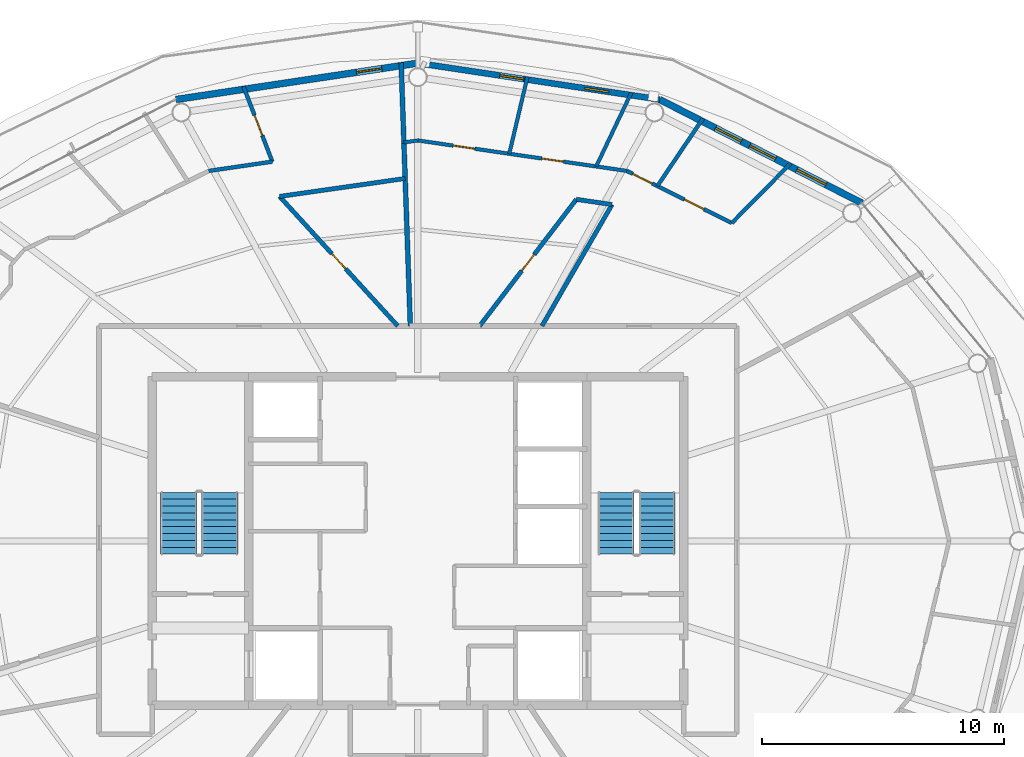
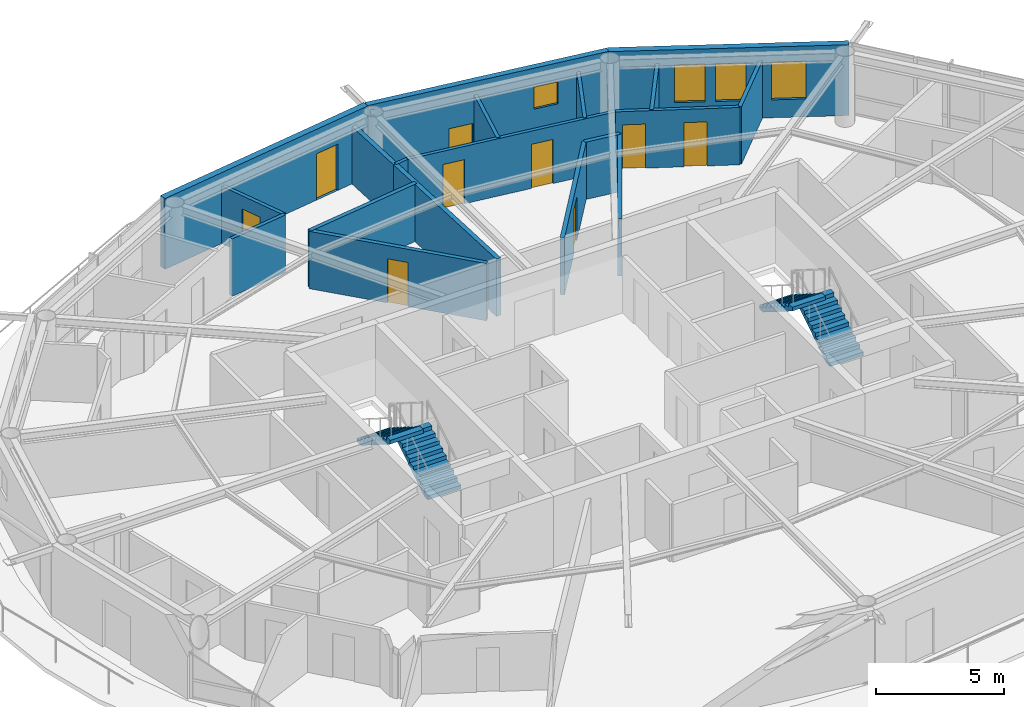
# One storey, part 19 of 22: 19 walls, 8 doors, 5 windows, 4 stair flights, 13 openings, 2 elements without a shape of their own.
"""IFC4 building model written with IfcOpenShell, lengths in metres."""

from ifc_helpers import new_model, si_unit, direction, frame, frame_2d, origin, place, context, subcontext, project, spatial, polyline, rectangle, outline, extrude, material, layer, layer_set, type_object, element, fill, aggregate, save


model = new_model("IFC4")

# Units and contexts
model_context = context("Model", 3, precision=1e-05, world=origin(), true_north=direction((0.0, 1.0)))
body_context = subcontext(model_context, "Body", "Model", "MODEL_VIEW")
ifc_project = project(units=[si_unit("LENGTHUNIT", "METRE"), si_unit("AREAUNIT", "SQUARE_METRE"), si_unit("VOLUMEUNIT", "CUBIC_METRE"), si_unit("PLANEANGLEUNIT", "RADIAN"), si_unit("MASSUNIT", "GRAM", prefix="KILO")], contexts=[model_context])

# Site, building, storey
site_placement = place(None, origin())
site = spatial("IfcSite", under=ifc_project, at=site_placement, CompositionType="ELEMENT")
building_placement = place(site_placement, origin())
building = spatial("IfcBuilding", under=site, at=building_placement, Name="Sarneth Arch Tower", CompositionType="ELEMENT")
storey_placement = place(building_placement, frame((0.0, 0.0, 287.39990234375)))
storey = spatial("IfcBuildingStorey", under=building, at=storey_placement, Name="L74", CompositionType="ELEMENT", Elevation=287.39990234375)

# Wall, openings, windows
ifc_material_1 = material(Name="Extruded terracotta rainscreen on Concrete C40/50 backing", Category="masonry")
ifc_layer_1 = layer(ifc_material_1, 0.25)
ifc_layer_set_1 = layer_set([ifc_layer_1], Name="Extruded terracotta rainscreen on Concrete C40/50 backing")
wall_type_1 = type_object("IfcWallType", Name="WALL-EXT-SPAND-250", PredefinedType="SOLIDWALL", material=ifc_layer_set_1)
wall_1_placement = place(storey_placement, frame((58.0126953125, 60.2744140625, 0.0), z_axis=(0.0, 0.0, 1.0), x_axis=(-0.988882522213, 0.148698881169, 0.0)))
wall_1 = element("IfcWall", 1, at=wall_1_placement, inside=storey, type_object=wall_type_1, Name="L74 Terracotta perimeter wall 04", PredefinedType="SOLIDWALL", context=body_context, shape_type="SweptSolid", body=[
    extrude(rectangle(XDim=10.125244140625, YDim=0.25, at=frame_2d((5.0625, 0.0))), origin(), (0.0, 0.0, 1.0), 3.3701171875),
])
opening_1_placement = place(wall_1_placement, frame((2.1337890625, 0.0, 1.419921875)))
opening_1 = element("IfcOpeningElement", 2, at=opening_1_placement, cuts=wall_1, Name="Opening W-14", PredefinedType="OPENING", context=body_context, shape_type="SweptSolid", body=[
    extrude(rectangle(XDim=1.0, YDim=1.050048828125, at=frame_2d((0.5, 0.52490234375))), frame((0.0, 0.135009765625, 0.0), z_axis=(0.0, -1.0, 0.0), x_axis=(1.0, 0.0, 0.0)), (0.0, 0.0, 1.0), 0.27001953125),
])
opening_2_placement = place(wall_1_placement, frame((5.693603515625, 0.0, 0.35009765625)))
opening_2 = element("IfcOpeningElement", 3, at=opening_2_placement, cuts=wall_1, Name="Opening W-14", PredefinedType="OPENING", context=body_context, shape_type="SweptSolid", body=[
    extrude(rectangle(XDim=1.0, YDim=1.050048828125, at=frame_2d((0.5, 0.52490234375))), frame((0.0, 0.135009765625, 0.0), z_axis=(0.0, -1.0, 0.0), x_axis=(1.0, 0.0, 0.0)), (0.0, 0.0, 1.0), 0.27001953125),
])
ifc_material_2 = material(Name="Thermally broken Aluminium 6063-T6 and low-e laminated IGU", Category="aluminium")
window_type_1 = type_object("IfcWindowType", Name="WIN-TWR-1000x1050", PartitioningType="SINGLE_PANEL", PredefinedType="WINDOW", material=ifc_material_2)
window_1_placement = place(opening_1_placement, origin())
window_1 = element("IfcWindow", 4, at=window_1_placement, inside=storey, type_object=window_type_1, Name="L74 Dwelling bedroom window 01", OverallHeight=1.050048828125, OverallWidth=1.0, PartitioningType="SINGLE_PANEL", PredefinedType="WINDOW", context=body_context, shape_type="SweptSolid", body=[
    extrude(rectangle(XDim=1.0, YDim=1.050048828125, at=frame_2d((0.5, 0.52490234375))), frame((0.0, 0.030029296875, 0.0), z_axis=(0.0, -1.0, 0.0), x_axis=(1.0, 0.0, 0.0)), (0.0, 0.0, 1.0), 0.06005859375),
])
fill(opening_1, window_1)
window_2_placement = place(opening_2_placement, origin())
window_2 = element("IfcWindow", 5, at=window_2_placement, inside=storey, type_object=window_type_1, Name="L74 Dwelling bedroom window 02", OverallHeight=1.050048828125, OverallWidth=1.0, PartitioningType="SINGLE_PANEL", PredefinedType="WINDOW", context=body_context, shape_type="SweptSolid", body=[
    extrude(rectangle(XDim=1.0, YDim=1.050048828125, at=frame_2d((0.5, 0.52490234375))), frame((0.0, 0.030029296875, 0.0), z_axis=(0.0, -1.0, 0.0), x_axis=(1.0, 0.0, 0.0)), (0.0, 0.0, 1.0), 0.06005859375),
])
fill(opening_2, window_2)

ifc_material_3 = material(Name="Extruded terracotta rainscreen on Concrete C40/50 backing", Category="masonry")
ifc_layer_2 = layer(ifc_material_3, 0.280029296875)
ifc_layer_set_2 = layer_set([ifc_layer_2], Name="Extruded terracotta rainscreen on Concrete C40/50 backing")
wall_type_2 = type_object("IfcWallType", Name="WALL-EXT-TERRA-280", PredefinedType="SOLIDWALL", material=ifc_layer_set_2)
wall_2_placement = place(storey_placement, frame((66.382568359375, 55.986572265625, 0.0), z_axis=(0.0, 0.0, 1.0), x_axis=(-0.890007394051, 0.455946091699, 0.0)))
wall_2 = element("IfcWall", 6, at=wall_2_placement, inside=storey, type_object=wall_type_2, Name="L74 Terracotta perimeter wall 03", PredefinedType="SOLIDWALL", context=body_context, shape_type="SweptSolid", body=[
    extrude(rectangle(XDim=9.404296875, YDim=0.280029296875, at=frame_2d((4.7021484375, 0.0))), origin(), (0.0, 0.0, 1.0), 3.3701171875),
])
opening_3_placement = place(wall_2_placement, frame((1.6748046875, 0.0, 0.85009765625)))
opening_3 = element("IfcOpeningElement", 7, at=opening_3_placement, cuts=wall_2, Name="Opening W-08", PredefinedType="OPENING", context=body_context, shape_type="SweptSolid", body=[
    extrude(rectangle(XDim=1.35009765625, YDim=1.800048828125, at=frame_2d((0.675048828125, 0.89990234375))), frame((0.0, 0.14990234375, 0.0), z_axis=(0.0, -1.0, 0.0), x_axis=(1.0, 0.0, 0.0)), (0.0, 0.0, 1.0), 0.300048828125),
])
opening_4_placement = place(wall_2_placement, frame((4.016845703125, 0.0, 0.85009765625)))
opening_4 = element("IfcOpeningElement", 8, at=opening_4_placement, cuts=wall_2, Name="Opening W-09", PredefinedType="OPENING", context=body_context, shape_type="SweptSolid", body=[
    extrude(rectangle(XDim=1.199951171875, YDim=1.800048828125, at=frame_2d((0.60009765625, 0.89990234375))), frame((0.0, 0.14990234375, 0.0), z_axis=(0.0, -1.0, 0.0), x_axis=(1.0, 0.0, 0.0)), (0.0, 0.0, 1.0), 0.300048828125),
])
opening_5_placement = place(wall_2_placement, frame((5.609375, 0.0, 0.85009765625)))
opening_5 = element("IfcOpeningElement", 9, at=opening_5_placement, cuts=wall_2, Name="Opening W-09", PredefinedType="OPENING", context=body_context, shape_type="SweptSolid", body=[
    extrude(rectangle(XDim=1.199951171875, YDim=1.800048828125, at=frame_2d((0.60009765625, 0.89990234375))), frame((0.0, 0.14990234375, 0.0), z_axis=(0.0, -1.0, 0.0), x_axis=(1.0, 0.0, 0.0)), (0.0, 0.0, 1.0), 0.300048828125),
])
ifc_material_4 = material(Name="Thermally broken Aluminium 6063-T6 and low-e laminated IGU", Category="aluminium")
window_type_2 = type_object("IfcWindowType", Name="WIN-TWR-1200x1800", PartitioningType="SINGLE_PANEL", PredefinedType="WINDOW", material=ifc_material_4)
window_3_placement = place(opening_4_placement, origin())
window_3 = element("IfcWindow", 10, at=window_3_placement, inside=storey, type_object=window_type_2, Name="L74 Exterior window 03B", OverallHeight=1.800048828125, OverallWidth=1.199951171875, PartitioningType="SINGLE_PANEL", PredefinedType="WINDOW", context=body_context, shape_type="SweptSolid", body=[
    extrude(rectangle(XDim=1.199951171875, YDim=1.800048828125, at=frame_2d((0.60009765625, 0.89990234375))), frame((0.0, 0.030029296875, 0.0), z_axis=(0.0, -1.0, 0.0), x_axis=(1.0, 0.0, 0.0)), (0.0, 0.0, 1.0), 0.06005859375),
])
fill(opening_4, window_3)
window_4_placement = place(opening_5_placement, origin())
window_4 = element("IfcWindow", 11, at=window_4_placement, inside=storey, type_object=window_type_2, Name="L74 Exterior window 03C", OverallHeight=1.800048828125, OverallWidth=1.199951171875, PartitioningType="SINGLE_PANEL", PredefinedType="WINDOW", context=body_context, shape_type="SweptSolid", body=[
    extrude(rectangle(XDim=1.199951171875, YDim=1.800048828125, at=frame_2d((0.60009765625, 0.89990234375))), frame((0.0, 0.030029296875, 0.0), z_axis=(0.0, -1.0, 0.0), x_axis=(1.0, 0.0, 0.0)), (0.0, 0.0, 1.0), 0.06005859375),
])
fill(opening_5, window_4)
ifc_material_5 = material(Name="Thermally broken Aluminium 6063-T6 and low-e laminated IGU", Category="aluminium")
window_type_3 = type_object("IfcWindowType", Name="WIN-TWR-1350x1800", PartitioningType="SINGLE_PANEL", PredefinedType="WINDOW", material=ifc_material_5)
window_5_placement = place(opening_3_placement, origin())
window_5 = element("IfcWindow", 12, at=window_5_placement, inside=storey, type_object=window_type_3, Name="L74 Exterior window 03A", OverallHeight=1.800048828125, OverallWidth=1.35009765625, PartitioningType="SINGLE_PANEL", PredefinedType="WINDOW", context=body_context, shape_type="SweptSolid", body=[
    extrude(rectangle(XDim=1.35009765625, YDim=1.800048828125, at=frame_2d((0.675048828125, 0.89990234375))), frame((0.0, 0.030029296875, 0.0), z_axis=(0.0, -1.0, 0.0), x_axis=(1.0, 0.0, 0.0)), (0.0, 0.0, 1.0), 0.06005859375),
])
fill(opening_3, window_5)

# Wall, opening, door
wall_3_placement = place(storey_placement, frame((48.0, 61.780029296875, 0.0), z_axis=(0.0, 0.0, 1.0), x_axis=(-0.988882522213, -0.148698881169, 0.0)))
wall_3 = element("IfcWall", 13, at=wall_3_placement, inside=storey, type_object=wall_type_2, Name="L74 Terracotta perimeter wall 05", PredefinedType="SOLIDWALL", context=body_context, shape_type="SweptSolid", body=[
    extrude(rectangle(XDim=10.125244140625, YDim=0.280029296875, at=frame_2d((5.0625, 0.0))), origin(), (0.0, 0.0, 1.0), 3.3701171875),
])
opening_6_placement = place(wall_3_placement, frame((1.51611328125, 0.0, 0.0)))
opening_6 = element("IfcOpeningElement", 14, at=opening_6_placement, cuts=wall_3, Name="Opening BD-4", PredefinedType="OPENING", context=body_context, shape_type="SweptSolid", body=[
    extrude(rectangle(XDim=1.050048828125, YDim=2.199951171875, at=frame_2d((0.52490234375, 1.10009765625))), frame((0.0, 0.14990234375, 0.0), z_axis=(0.0, -1.0, 0.0), x_axis=(1.0, 0.0, 0.0)), (0.0, 0.0, 1.0), 0.300048828125),
])
ifc_material_6 = material(Name="Thermally broken Aluminium 6063-T6 and laminated safety glass", Category="aluminium")
door_type_1 = type_object("IfcDoorType", Name="DR-BALC-GLZ-1050", OperationType="SINGLE_SWING_RIGHT", PredefinedType="DOOR", material=ifc_material_6)
door_1_placement = place(opening_6_placement, origin())
door_1 = element("IfcDoor", 15, at=door_1_placement, inside=storey, type_object=door_type_1, Name="L74 Balcony glazed door 05", OperationType="SINGLE_SWING_RIGHT", OverallHeight=2.199951171875, OverallWidth=1.050048828125, PredefinedType="DOOR", context=body_context, shape_type="SweptSolid", body=[
    extrude(rectangle(XDim=1.050048828125, YDim=2.199951171875, at=frame_2d((0.52490234375, 1.10009765625))), frame((0.0, 0.02490234375, 0.0), z_axis=(0.0, -1.0, 0.0), x_axis=(1.0, 0.0, 0.0)), (0.0, 0.0, 1.0), 0.050048828125),
])
fill(opening_6, door_1)

# Wall, openings, doors
ifc_material_7 = material(Name="Acoustic gypsum stud partition", Category="gypsum")
ifc_layer_3 = layer(ifc_material_7, 0.14990234375)
ifc_layer_set_3 = layer_set([ifc_layer_3], Name="Acoustic gypsum stud partition")
wall_type_3 = type_object("IfcWallType", Name="WALL-PART-150", PredefinedType="PARTITIONING", material=ifc_layer_set_3)
wall_4_placement = place(storey_placement, frame((48.0, 58.580078125, 0.0), z_axis=(0.0, 0.0, 1.0), x_axis=(0.989536136377, -0.144285254977, 0.0)))
wall_4 = element("IfcWall", 16, at=wall_4_placement, inside=storey, type_object=wall_type_3, Name="L74 Interior partition W-L74-TP-028", PredefinedType="PARTITIONING", context=body_context, shape_type="SweptSolid", body=[
    extrude(rectangle(XDim=8.746337890625, YDim=0.14990234375, at=frame_2d((4.373046875, 0.0))), origin(), (0.0, 0.0, 1.0), 2.72998046875),
])
opening_7_placement = place(wall_4_placement, frame((1.478759765625, 0.0, 0.0)))
opening_7 = element("IfcOpeningElement", 17, at=opening_7_placement, cuts=wall_4, Name="Opening ID-01", PredefinedType="OPENING", context=body_context, shape_type="SweptSolid", body=[
    extrude(rectangle(XDim=0.89990234375, YDim=2.10009765625, at=frame_2d((0.449951171875, 1.050048828125))), frame((0.0, 0.0849609375, 0.0), z_axis=(0.0, -1.0, 0.0), x_axis=(1.0, 0.0, 0.0)), (0.0, 0.0, 1.0), 0.169921875),
])
opening_8_placement = place(wall_4_placement, frame((5.193359375, 0.0, 0.0)))
opening_8 = element("IfcOpeningElement", 18, at=opening_8_placement, cuts=wall_4, Name="Opening ID-01", PredefinedType="OPENING", context=body_context, shape_type="SweptSolid", body=[
    extrude(rectangle(XDim=0.89990234375, YDim=2.10009765625, at=frame_2d((0.449951171875, 1.050048828125))), frame((0.0, 0.0849609375, 0.0), z_axis=(0.0, -1.0, 0.0), x_axis=(1.0, 0.0, 0.0)), (0.0, 0.0, 1.0), 0.169921875),
])
ifc_material_8 = material(Name="Engineered hardwood flush door", Category="wood")
door_type_2 = type_object("IfcDoorType", Name="DR-INT-900", OperationType="SINGLE_SWING_LEFT", PredefinedType="DOOR", material=ifc_material_8)
door_2_placement = place(opening_7_placement, origin())
door_2 = element("IfcDoor", 19, at=door_2_placement, inside=storey, type_object=door_type_2, Name="L74 Interior door DR-L74-U1-BED2", OperationType="SINGLE_SWING_LEFT", OverallHeight=2.10009765625, OverallWidth=0.89990234375, PredefinedType="DOOR", context=body_context, shape_type="SweptSolid", body=[
    extrude(rectangle(XDim=0.89990234375, YDim=2.10009765625, at=frame_2d((0.449951171875, 1.050048828125))), frame((0.0, 0.02490234375, 0.0), z_axis=(0.0, -1.0, 0.0), x_axis=(1.0, 0.0, 0.0)), (0.0, 0.0, 1.0), 0.050048828125),
])
fill(opening_7, door_2)
door_3_placement = place(opening_8_placement, origin())
door_3 = element("IfcDoor", 20, at=door_3_placement, inside=storey, type_object=door_type_2, Name="L74 Interior door DR-L74-U1-BED1", OperationType="SINGLE_SWING_RIGHT", OverallHeight=2.10009765625, OverallWidth=0.89990234375, PredefinedType="DOOR", context=body_context, shape_type="SweptSolid", body=[
    extrude(rectangle(XDim=0.89990234375, YDim=2.10009765625, at=frame_2d((0.449951171875, 1.050048828125))), frame((0.0, 0.02490234375, 0.0), z_axis=(0.0, -1.0, 0.0), x_axis=(1.0, 0.0, 0.0)), (0.0, 0.0, 1.0), 0.050048828125),
])
fill(opening_8, door_3)

# Walls
wall_5_placement = place(storey_placement, frame((56.842041015625, 60.56640625, 0.0), z_axis=(0.0, 0.0, 1.0), x_axis=(-0.429975480416, -0.902840565239, 0.0)))
element("IfcWall", 21, at=wall_5_placement, inside=storey, type_object=wall_type_3, Name="L74 Interior partition W-L74-TP-034", PredefinedType="PARTITIONING", context=body_context, shape_type="SweptSolid", body=[
    extrude(rectangle(XDim=3.392578125, YDim=0.14990234375, at=frame_2d((1.6962890625, 0.0))), origin(), (0.0, 0.0, 1.0), 2.72998046875),
])
wall_6_placement = place(storey_placement, frame((51.78515625, 58.028076171875, 0.0), z_axis=(0.0, 0.0, 1.0), x_axis=(0.2298279545, 0.973231273301, 0.0)))
element("IfcWall", 22, at=wall_6_placement, inside=storey, type_object=wall_type_3, Name="L74 Interior partition W-L74-TP-035", PredefinedType="PARTITIONING", context=body_context, shape_type="SweptSolid", body=[
    extrude(rectangle(XDim=3.278076171875, YDim=0.14990234375, at=frame_2d((1.63916015625, 0.0))), origin(), (0.0, 0.0, 1.0), 2.72998046875),
])
wall_7_placement = place(storey_placement, frame((47.424072265625, 58.49609375, 0.0), z_axis=(0.0, 0.0, 1.0), x_axis=(0.989534228924, 0.144298336053, 0.0)))
element("IfcWall", 23, at=wall_7_placement, inside=storey, type_object=wall_type_3, Name="L74 Interior partition W-L74-TP-027", PredefinedType="PARTITIONING", context=body_context, shape_type="SweptSolid", body=[
    extrude(rectangle(XDim=0.58203125, YDim=0.14990234375, at=frame_2d((0.291015625, 0.0))), origin(), (0.0, 0.0, 1.0), 2.72998046875),
])

# Wall, openings, doors
ifc_material_9 = material(Name="Kitchen wet service chase wall", Category="gypsum")
ifc_layer_4 = layer(ifc_material_9, 0.159912109375)
ifc_layer_set_4 = layer_set([ifc_layer_4], Name="Kitchen wet service chase wall")
wall_type_4 = type_object("IfcWallType", Name="WALL-PLUMB-160", PredefinedType="PLUMBINGWALL", material=ifc_layer_set_4)
wall_8_placement = place(storey_placement, frame((56.65478515625, 57.318115234375, 0.0), z_axis=(0.0, 0.0, 1.0), x_axis=(0.895572412961, -0.44491578208, 0.0)))
wall_8 = element("IfcWall", 24, at=wall_8_placement, inside=storey, type_object=wall_type_4, Name="L74 Interior partition W-L74-TP-021", PredefinedType="PLUMBINGWALL", context=body_context, shape_type="SweptSolid", body=[
    extrude(rectangle(XDim=4.84814453125, YDim=0.159912109375, at=frame_2d((2.424072265625, 0.0))), origin(), (0.0, 0.0, 1.0), 2.72998046875),
])
opening_9_placement = place(wall_8_placement, frame((2.66162109375, 0.0, 0.0)))
opening_9 = element("IfcOpeningElement", 25, at=opening_9_placement, cuts=wall_8, Name="Opening ID-01", PredefinedType="OPENING", context=body_context, shape_type="SweptSolid", body=[
    extrude(rectangle(XDim=0.89990234375, YDim=2.10009765625, at=frame_2d((0.449951171875, 1.050048828125))), frame((0.0, 0.08984375, 0.0), z_axis=(0.0, -1.0, 0.0), x_axis=(1.0, 0.0, 0.0)), (0.0, 0.0, 1.0), 0.179931640625),
])
opening_10_placement = place(wall_8_placement, frame((0.27001953125, 0.0, 0.0)))
opening_10 = element("IfcOpeningElement", 26, at=opening_10_placement, cuts=wall_8, Name="Opening ID-01", PredefinedType="OPENING", context=body_context, shape_type="SweptSolid", body=[
    extrude(rectangle(XDim=0.89990234375, YDim=2.10009765625, at=frame_2d((0.449951171875, 1.050048828125))), frame((0.0, 0.08984375, 0.0), z_axis=(0.0, -1.0, 0.0), x_axis=(1.0, 0.0, 0.0)), (0.0, 0.0, 1.0), 0.179931640625),
])
door_4_placement = place(opening_9_placement, origin())
door_4 = element("IfcDoor", 27, at=door_4_placement, inside=storey, type_object=door_type_2, Name="L74 Interior door DR-L74-U1-KIT", OperationType="SINGLE_SWING_LEFT", OverallHeight=2.10009765625, OverallWidth=0.89990234375, PredefinedType="DOOR", context=body_context, shape_type="SweptSolid", body=[
    extrude(rectangle(XDim=0.89990234375, YDim=2.10009765625, at=frame_2d((0.449951171875, 1.050048828125))), frame((0.0, 0.02490234375, 0.0), z_axis=(0.0, -1.0, 0.0), x_axis=(1.0, 0.0, 0.0)), (0.0, 0.0, 1.0), 0.050048828125),
])
fill(opening_9, door_4)
door_5_placement = place(opening_10_placement, origin())
door_5 = element("IfcDoor", 28, at=door_5_placement, inside=storey, type_object=door_type_2, Name="L74 Interior door DR-L74-U1-STD", OperationType="SINGLE_SWING_LEFT", OverallHeight=2.10009765625, OverallWidth=0.89990234375, PredefinedType="DOOR", context=body_context, shape_type="SweptSolid", body=[
    extrude(rectangle(XDim=0.89990234375, YDim=2.10009765625, at=frame_2d((0.449951171875, 1.050048828125))), frame((0.0, 0.02490234375, 0.0), z_axis=(0.0, -1.0, 0.0), x_axis=(1.0, 0.0, 0.0)), (0.0, 0.0, 1.0), 0.050048828125),
])
fill(opening_10, door_5)

# Walls
wall_9_placement = place(storey_placement, frame((60.99658203125, 55.1611328125, 0.0), z_axis=(0.0, 0.0, 1.0), x_axis=(0.702618919802, 0.711566338113, 0.0)))
element("IfcWall", 29, at=wall_9_placement, inside=storey, type_object=wall_type_4, Name="L74 Interior partition W-L74-TP-022", PredefinedType="PLUMBINGWALL", context=body_context, shape_type="SweptSolid", body=[
    extrude(rectangle(XDim=3.46533203125, YDim=0.159912109375, at=frame_2d((1.732666015625, 0.0))), origin(), (0.0, 0.0, 1.0), 2.72998046875),
])
wall_10_placement = place(storey_placement, frame((59.804443359375, 59.490234375, 0.0), z_axis=(0.0, 0.0, 1.0), x_axis=(-0.559397095435, -0.828899806743, 0.0)))
element("IfcWall", 30, at=wall_10_placement, inside=storey, type_object=wall_type_4, Name="L74 Interior partition W-L74-TP-033", PredefinedType="PLUMBINGWALL", context=body_context, shape_type="SweptSolid", body=[
    extrude(rectangle(XDim=3.376220703125, YDim=0.159912109375, at=frame_2d((1.68798828125, 0.0))), origin(), (0.0, 0.0, 1.0), 2.72998046875),
])

# Wall, opening, door
wall_11_placement = place(storey_placement, frame((41.9765625, 57.70166015625, 0.0), z_axis=(0.0, 0.0, 1.0), x_axis=(-0.358154229758, 0.933662437772, 0.0)))
wall_11 = element("IfcWall", 31, at=wall_11_placement, inside=storey, type_object=wall_type_4, Name="L74 Interior partition W-L74-TP-040", PredefinedType="PLUMBINGWALL", context=body_context, shape_type="SweptSolid", body=[
    extrude(rectangle(XDim=3.332763671875, YDim=0.159912109375, at=frame_2d((1.66650390625, 0.0))), origin(), (0.0, 0.0, 1.0), 2.72998046875),
])
opening_11_placement = place(wall_11_placement, frame((1.156494140625, 0.0, 0.0)))
opening_11 = element("IfcOpeningElement", 32, at=opening_11_placement, cuts=wall_11, Name="Opening ID-01", PredefinedType="OPENING", context=body_context, shape_type="SweptSolid", body=[
    extrude(rectangle(XDim=0.89990234375, YDim=2.10009765625, at=frame_2d((0.449951171875, 1.050048828125))), frame((0.0, 0.08984375, 0.0), z_axis=(0.0, -1.0, 0.0), x_axis=(1.0, 0.0, 0.0)), (0.0, 0.0, 1.0), 0.179931640625),
])
door_6_placement = place(opening_11_placement, origin())
door_6 = element("IfcDoor", 33, at=door_6_placement, inside=storey, type_object=door_type_2, Name="L74 Interior door DR-L74-U2-KIT", OperationType="SINGLE_SWING_RIGHT", OverallHeight=2.10009765625, OverallWidth=0.89990234375, PredefinedType="DOOR", context=body_context, shape_type="SweptSolid", body=[
    extrude(rectangle(XDim=0.89990234375, YDim=2.10009765625, at=frame_2d((0.449951171875, 1.050048828125))), frame((0.0, 0.02490234375, 0.0), z_axis=(0.0, -1.0, 0.0), x_axis=(1.0, 0.0, 0.0)), (0.0, 0.0, 1.0), 0.050048828125),
])
fill(opening_11, door_6)

# Wall
wall_12_placement = place(storey_placement, frame((39.34521484375, 57.31787109375, 0.0), z_axis=(0.0, 0.0, 1.0), x_axis=(0.989530249601, 0.144325621857, 0.0)))
element("IfcWall", 34, at=wall_12_placement, inside=storey, type_object=wall_type_4, Name="L74 Interior partition W-L74-TP-039", PredefinedType="PLUMBINGWALL", context=body_context, shape_type="SweptSolid", body=[
    extrude(rectangle(XDim=2.6591796875, YDim=0.159912109375, at=frame_2d((1.32958984375, 0.0))), origin(), (0.0, 0.0, 1.0), 2.72998046875),
])

# Wall, opening, door
ifc_material_10 = material(Name="Moisture-resistant plumbing chase wall", Category="gypsum")
ifc_layer_5 = layer(ifc_material_10, 0.179931640625)
ifc_layer_set_5 = layer_set([ifc_layer_5], Name="Moisture-resistant plumbing chase wall")
wall_type_5 = type_object("IfcWallType", Name="WALL-PLUMB-180", PredefinedType="PLUMBINGWALL", material=ifc_layer_set_5)
wall_13_placement = place(storey_placement, frame((42.277587890625, 56.26123046875, 0.0), z_axis=(0.0, 0.0, 1.0), x_axis=(0.674096276867, -0.73864349284, 0.0)))
wall_13 = element("IfcWall", 35, at=wall_13_placement, inside=storey, type_object=wall_type_5, Name="L74 Interior partition W-L74-TP-042", PredefinedType="PLUMBINGWALL", context=body_context, shape_type="SweptSolid", body=[
    extrude(rectangle(XDim=7.25830078125, YDim=0.179931640625, at=frame_2d((3.629150390625, 0.0))), origin(), (0.0, 0.0, 1.0), 2.72998046875),
])
opening_12_placement = place(wall_13_placement, frame((3.2041015625, 0.0, 0.0)))
opening_12 = element("IfcOpeningElement", 36, at=opening_12_placement, cuts=wall_13, Name="Opening ID-02", PredefinedType="OPENING", context=body_context, shape_type="SweptSolid", body=[
    extrude(rectangle(XDim=0.85009765625, YDim=2.10009765625, at=frame_2d((0.425048828125, 1.050048828125))), frame((0.0, 0.099853515625, 0.0), z_axis=(0.0, -1.0, 0.0), x_axis=(1.0, 0.0, 0.0)), (0.0, 0.0, 1.0), 0.199951171875),
])
ifc_material_11 = material(Name="Moisture-resistant bathroom timber door", Category="wood")
door_type_3 = type_object("IfcDoorType", Name="DR-INT-850", OperationType="SINGLE_SWING_RIGHT", PredefinedType="DOOR", material=ifc_material_11)
door_7_placement = place(opening_12_placement, origin())
door_7 = element("IfcDoor", 37, at=door_7_placement, inside=storey, type_object=door_type_3, Name="L74 Interior door DR-L74-U2-BATH", OperationType="SINGLE_SWING_LEFT", OverallHeight=2.10009765625, OverallWidth=0.85009765625, PredefinedType="DOOR", context=body_context, shape_type="SweptSolid", body=[
    extrude(rectangle(XDim=0.85009765625, YDim=2.10009765625, at=frame_2d((0.425048828125, 1.050048828125))), frame((0.0, 0.02490234375, 0.0), z_axis=(0.0, -1.0, 0.0), x_axis=(1.0, 0.0, 0.0)), (0.0, 0.0, 1.0), 0.050048828125),
])
fill(opening_12, door_7)

wall_14_placement = place(storey_placement, frame((54.563720703125, 56.14111328125, 0.0), z_axis=(0.0, 0.0, 1.0), x_axis=(-0.607456974677, -0.794352581614, 0.0)))
wall_14 = element("IfcWall", 38, at=wall_14_placement, inside=storey, type_object=wall_type_5, Name="L74 Interior partition W-L74-TP-025", PredefinedType="PLUMBINGWALL", context=body_context, shape_type="SweptSolid", body=[
    extrude(rectangle(XDim=6.59814453125, YDim=0.179931640625, at=frame_2d((3.299072265625, 0.0))), origin(), (0.0, 0.0, 1.0), 2.72998046875),
])
opening_13_placement = place(wall_14_placement, frame((2.8740234375, 0.0, 0.0)))
opening_13 = element("IfcOpeningElement", 39, at=opening_13_placement, cuts=wall_14, Name="Opening ID-02", PredefinedType="OPENING", context=body_context, shape_type="SweptSolid", body=[
    extrude(rectangle(XDim=0.85009765625, YDim=2.10009765625, at=frame_2d((0.425048828125, 1.050048828125))), frame((0.0, 0.099853515625, 0.0), z_axis=(0.0, -1.0, 0.0), x_axis=(1.0, 0.0, 0.0)), (0.0, 0.0, 1.0), 0.199951171875),
])
door_8_placement = place(opening_13_placement, origin())
door_8 = element("IfcDoor", 40, at=door_8_placement, inside=storey, type_object=door_type_3, Name="L74 Interior door DR-L74-U1-BATH", OperationType="SINGLE_SWING_LEFT", OverallHeight=2.10009765625, OverallWidth=0.85009765625, PredefinedType="DOOR", context=body_context, shape_type="SweptSolid", body=[
    extrude(rectangle(XDim=0.85009765625, YDim=2.10009765625, at=frame_2d((0.425048828125, 1.050048828125))), frame((0.0, 0.02490234375, 0.0), z_axis=(0.0, -1.0, 0.0), x_axis=(1.0, 0.0, 0.0)), (0.0, 0.0, 1.0), 0.050048828125),
])
fill(opening_13, door_8)

# Walls
wall_15_placement = place(storey_placement, frame((53.138427734375, 50.89990234375, 0.0), z_axis=(0.0, 0.0, 1.0), x_axis=(0.499985927882, 0.866033528173, 0.0)))
element("IfcWall", 41, at=wall_15_placement, inside=storey, type_object=wall_type_5, Name="L74 Interior partition W-L74-TP-023", PredefinedType="PLUMBINGWALL", context=body_context, shape_type="SweptSolid", body=[
    extrude(rectangle(XDim=5.802001953125, YDim=0.179931640625, at=frame_2d((2.90087890625, 0.0))), origin(), (0.0, 0.0, 1.0), 2.72998046875),
])
wall_16_placement = place(storey_placement, frame((47.47607421875, 57.0048828125, 0.0), z_axis=(0.0, 0.0, 1.0), x_axis=(-0.989922511169, -0.141610105153, 0.0)))
element("IfcWall", 42, at=wall_16_placement, inside=storey, type_object=wall_type_5, Name="L74 Interior partition W-L74-TP-041", PredefinedType="PLUMBINGWALL", context=body_context, shape_type="SweptSolid", body=[
    extrude(rectangle(XDim=5.25146484375, YDim=0.179931640625, at=frame_2d((2.625732421875, 0.0))), origin(), (0.0, 0.0, 1.0), 2.72998046875),
])
wall_17_placement = place(storey_placement, frame((56.039306640625, 55.924560546875, 0.0), z_axis=(0.0, 0.0, 1.0), x_axis=(-0.989402061703, 0.14520179165, 0.0)))
element("IfcWall", 43, at=wall_17_placement, inside=storey, type_object=wall_type_5, Name="L74 Interior partition W-L74-TP-024", PredefinedType="PLUMBINGWALL", context=body_context, shape_type="SweptSolid", body=[
    extrude(rectangle(XDim=1.491455078125, YDim=0.179931640625, at=frame_2d((0.74560546875, 0.0))), origin(), (0.0, 0.0, 1.0), 2.72998046875),
])
ifc_material_12 = material(Name="Double steel-stud acoustic drywall", Category="steel")
ifc_layer_6 = layer(ifc_material_12, 0.199951171875)
ifc_layer_set_6 = layer_set([ifc_layer_6], Name="Double steel-stud acoustic drywall")
wall_type_6 = type_object("IfcWallType", Name="WALL-UNIT-200", PredefinedType="PARTITIONING", material=ifc_layer_set_6)
wall_18_placement = place(storey_placement, frame((47.689208984375, 50.89990234375, 0.0), z_axis=(0.0, 0.0, 1.0), x_axis=(-0.034882659784, 0.999391414835, 0.0)))
element("IfcWall", 44, at=wall_18_placement, inside=storey, type_object=wall_type_6, Name="L74 Interior partition W-L74-TP-030", PredefinedType="PARTITIONING", context=body_context, shape_type="SweptSolid", body=[
    extrude(rectangle(XDim=7.600830078125, YDim=0.199951171875, at=frame_2d((3.80029296875, 0.0))), origin(), (0.0, 0.0, 1.0), 2.72998046875),
])
wall_19_placement = place(storey_placement, frame((47.30859375, 61.796630859375, 0.0), z_axis=(0.0, 0.0, 1.0), x_axis=(0.034921182562, -0.999390069497, 0.0)))
element("IfcWall", 45, at=wall_19_placement, inside=storey, type_object=wall_type_6, Name="L74 Interior partition W-L74-TP-036", PredefinedType="PARTITIONING", context=body_context, shape_type="SweptSolid", body=[
    extrude(rectangle(XDim=3.334716796875, YDim=0.199951171875, at=frame_2d((1.66748046875, 0.0))), origin(), (0.0, 0.0, 1.0), 2.72998046875),
])

# Stair, stair flights
ifc_material_13 = material(Name="Concrete C50/60", Category="concrete")
stair_type = type_object("IfcStairType", Name="STAIR-CORE-RC", PredefinedType="HALF_TURN_STAIR", material=ifc_material_13)
stair_1_placement = place(storey_placement, origin())
stair_1 = element("IfcStair", 46, at=stair_1_placement, inside=storey, type_object=stair_type, Name="L74 Core Exit Stair 1", PredefinedType="HALF_TURN_STAIR")
ifc_material_14 = material(Name="Concrete C50/60", Category="concrete")
stair_flight_type = type_object("IfcStairFlightType", Name="FLIGHT-RC-1500", PredefinedType="STRAIGHT", material=ifc_material_14)
stair_flight_1_placement = place(storey_placement, frame((39.800048828125, 41.449951171875, 0.0), z_axis=(0.0, 0.0, 1.0), x_axis=(0.0, 1.0, 0.0)))
stair_flight_1 = element("IfcStairFlight", 47, at=stair_flight_1_placement, type_object=stair_flight_type, Name="ST-1 flight 1", NumberOfRisers=10, NumberOfTreads=9, PredefinedType="STRAIGHT", RiserHeight=0.18, TreadLength=0.285, context=body_context, shape_type="SweptSolid", body=[
    extrude(outline(polyline([(0.0, 0.0), (0.0, 0.179931640625), (0.284912109375, 0.179931640625), (0.284912109375, 0.360107421875), (0.570068359375, 0.360107421875), (0.570068359375, 0.5400390625), (0.85498046875, 0.5400390625), (0.85498046875, 0.719970703125), (1.139892578125, 0.719970703125), (1.139892578125, 0.89990234375), (1.425048828125, 0.89990234375), (1.425048828125, 1.080078125), (1.7099609375, 1.080078125), (1.7099609375, 1.260009765625), (1.9951171875, 1.260009765625), (1.9951171875, 1.43994140625), (2.280029296875, 1.43994140625), (2.280029296875, 1.6201171875), (2.56494140625, 1.6201171875), (2.56494140625, 1.800048828125), (2.56494140625, 1.442626953125), (0.28076171875, 0.0), (0.0, 0.0)])), frame((0.0, 0.75, 0.0), z_axis=(0.0, -1.0, 0.0), x_axis=(1.0, 0.0, 0.0)), (0.0, 0.0, 1.0), 1.5),
])
stair_flight_2_placement = place(storey_placement, frame((38.10009765625, 44.014892578125, 1.800048828125), z_axis=(0.0, 0.0, 1.0), x_axis=(0.0, -1.0, 0.0)))
stair_flight_2 = element("IfcStairFlight", 48, at=stair_flight_2_placement, type_object=stair_flight_type, Name="ST-1 flight 2", NumberOfRisers=10, NumberOfTreads=9, PredefinedType="STRAIGHT", RiserHeight=0.18, TreadLength=0.285, context=body_context, shape_type="SweptSolid", body=[
    extrude(outline(polyline([(0.0, 0.0), (0.0, 0.179931640625), (0.284912109375, 0.179931640625), (0.284912109375, 0.360107421875), (0.570068359375, 0.360107421875), (0.570068359375, 0.5400390625), (0.85498046875, 0.5400390625), (0.85498046875, 0.719970703125), (1.139892578125, 0.719970703125), (1.139892578125, 0.89990234375), (1.425048828125, 0.89990234375), (1.425048828125, 1.080078125), (1.7099609375, 1.080078125), (1.7099609375, 1.260009765625), (1.9951171875, 1.260009765625), (1.9951171875, 1.43994140625), (2.280029296875, 1.43994140625), (2.280029296875, 1.6201171875), (2.56494140625, 1.6201171875), (2.56494140625, 1.800048828125), (2.56494140625, 1.442626953125), (0.28076171875, 0.0), (0.0, 0.0)])), frame((0.0, 0.75, 0.0), z_axis=(0.0, -1.0, 0.0), x_axis=(1.0, 0.0, 0.0)), (0.0, 0.0, 1.0), 1.5),
])
aggregate(stair_1, [stair_flight_1, stair_flight_2])

stair_2_placement = place(storey_placement, origin())
stair_2 = element("IfcStair", 49, at=stair_2_placement, inside=storey, type_object=stair_type, Name="L74 Core Exit Stair 2", PredefinedType="HALF_TURN_STAIR")
stair_flight_3_placement = place(storey_placement, frame((57.89990234375, 41.449951171875, 0.0), z_axis=(0.0, 0.0, 1.0), x_axis=(0.0, 1.0, 0.0)))
stair_flight_3 = element("IfcStairFlight", 50, at=stair_flight_3_placement, type_object=stair_flight_type, Name="ST-2 flight 1", NumberOfRisers=10, NumberOfTreads=9, PredefinedType="STRAIGHT", RiserHeight=0.18, TreadLength=0.285, context=body_context, shape_type="SweptSolid", body=[
    extrude(outline(polyline([(0.0, 0.0), (0.0, 0.179931640625), (0.284912109375, 0.179931640625), (0.284912109375, 0.360107421875), (0.570068359375, 0.360107421875), (0.570068359375, 0.5400390625), (0.85498046875, 0.5400390625), (0.85498046875, 0.719970703125), (1.139892578125, 0.719970703125), (1.139892578125, 0.89990234375), (1.425048828125, 0.89990234375), (1.425048828125, 1.080078125), (1.7099609375, 1.080078125), (1.7099609375, 1.260009765625), (1.9951171875, 1.260009765625), (1.9951171875, 1.43994140625), (2.280029296875, 1.43994140625), (2.280029296875, 1.6201171875), (2.56494140625, 1.6201171875), (2.56494140625, 1.800048828125), (2.56494140625, 1.442626953125), (0.28076171875, 0.0), (0.0, 0.0)])), frame((0.0, 0.75, 0.0), z_axis=(0.0, -1.0, 0.0), x_axis=(1.0, 0.0, 0.0)), (0.0, 0.0, 1.0), 1.5),
])
stair_flight_4_placement = place(storey_placement, frame((56.199951171875, 44.014892578125, 1.800048828125), z_axis=(0.0, 0.0, 1.0), x_axis=(0.0, -1.0, 0.0)))
stair_flight_4 = element("IfcStairFlight", 51, at=stair_flight_4_placement, type_object=stair_flight_type, Name="ST-2 flight 2", NumberOfRisers=10, NumberOfTreads=9, PredefinedType="STRAIGHT", RiserHeight=0.18, TreadLength=0.285, context=body_context, shape_type="SweptSolid", body=[
    extrude(outline(polyline([(0.0, 0.0), (0.0, 0.179931640625), (0.284912109375, 0.179931640625), (0.284912109375, 0.360107421875), (0.570068359375, 0.360107421875), (0.570068359375, 0.5400390625), (0.85498046875, 0.5400390625), (0.85498046875, 0.719970703125), (1.139892578125, 0.719970703125), (1.139892578125, 0.89990234375), (1.425048828125, 0.89990234375), (1.425048828125, 1.080078125), (1.7099609375, 1.080078125), (1.7099609375, 1.260009765625), (1.9951171875, 1.260009765625), (1.9951171875, 1.43994140625), (2.280029296875, 1.43994140625), (2.280029296875, 1.6201171875), (2.56494140625, 1.6201171875), (2.56494140625, 1.800048828125), (2.56494140625, 1.442626953125), (0.28076171875, 0.0), (0.0, 0.0)])), frame((0.0, 0.75, 0.0), z_axis=(0.0, -1.0, 0.0), x_axis=(1.0, 0.0, 0.0)), (0.0, 0.0, 1.0), 1.5),
])
aggregate(stair_2, [stair_flight_3, stair_flight_4])

save(model, "model.ifc")
